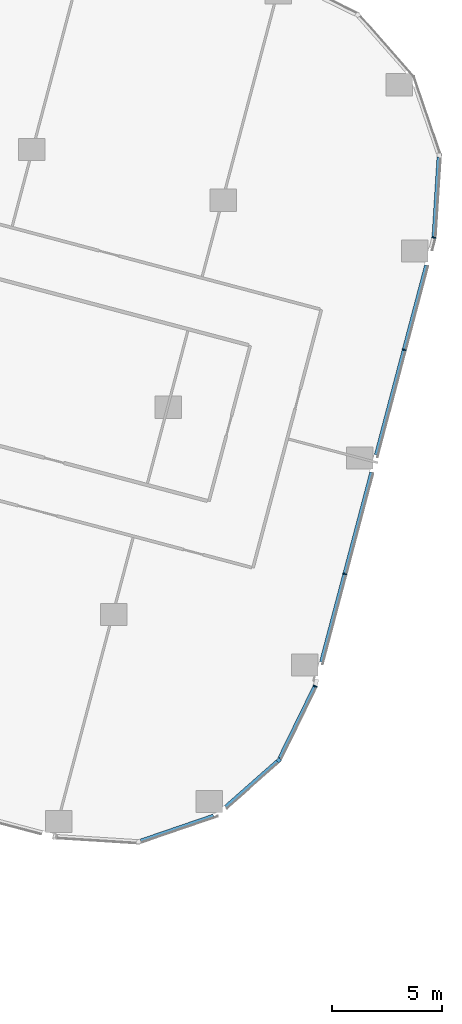
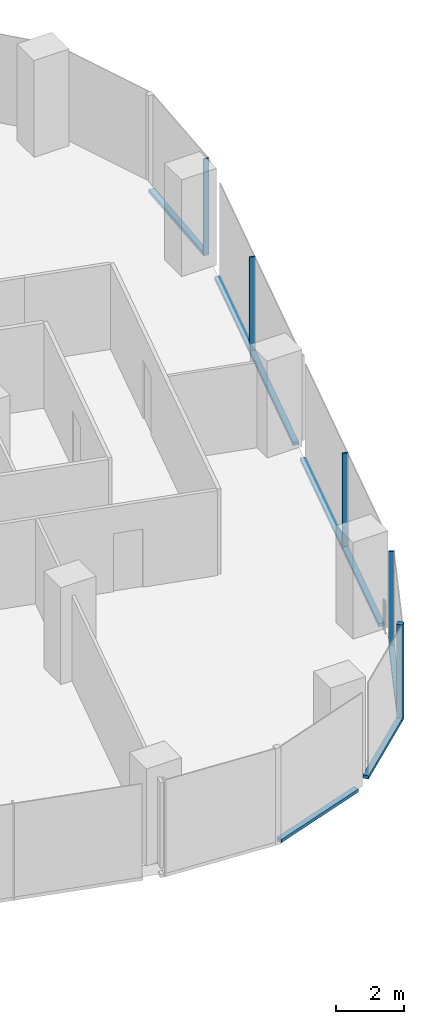
# One storey, part 10 of 34: 11 members, 5 elements without a shape of their own.
"""IFC4 building model written with IfcOpenShell, lengths in metres."""

from ifc_helpers import new_model, si_unit, direction, frame, origin, origin_2d, place, context, subcontext, project, spatial, rectangle, extrude, material, material_profile, profile_set, type_object, element, aggregate, save


model = new_model("IFC4")

# Units and contexts
model_context = context("Model", 3, precision=1e-05, world=origin(), true_north=direction((0.0, 1.0)))
body_context = subcontext(model_context, "Body", "Model", "MODEL_VIEW")
ifc_project = project(units=[si_unit("LENGTHUNIT", "METRE"), si_unit("AREAUNIT", "SQUARE_METRE"), si_unit("VOLUMEUNIT", "CUBIC_METRE"), si_unit("PLANEANGLEUNIT", "RADIAN"), si_unit("MASSUNIT", "GRAM", prefix="KILO")], contexts=[model_context])

# Site, building, storey
site_placement = place(None, origin())
site = spatial("IfcSite", under=ifc_project, at=site_placement, CompositionType="ELEMENT")
building_placement = place(site_placement, origin())
building = spatial("IfcBuilding", under=site, at=building_placement, Name="Orlundy Tower", CompositionType="ELEMENT")
storey_placement = place(building_placement, frame((0.0, 0.0, 112.699951171875)))
storey = spatial("IfcBuildingStorey", under=building, at=storey_placement, Name="L28", CompositionType="ELEMENT", Elevation=112.699951171875)

# Curtain wall, member
ifc_material_1 = material(Name="Aluminium bronze anodised", Category="aluminium")
curtain_wall_type = type_object("IfcCurtainWallType", Name="CW1 wall", PredefinedType="NOTDEFINED", material=ifc_material_1)
curtain_wall_1_placement = place(storey_placement, origin())
curtain_wall_1 = element("IfcCurtainWall", 1, at=curtain_wall_1_placement, inside=storey, type_object=curtain_wall_type, Name="CW1 run 025", PredefinedType="NOTDEFINED")
ifc_material_2 = material(Name="Aluminium bronze anodised", Category="aluminium")
ifc_material_profile_1 = material_profile(ifc_material_2, rectangle(XDim=0.179931640625, YDim=0.179931640625, at=origin_2d()), Name="CW1 corner post 180x180")
ifc_profile_set_1 = profile_set([ifc_material_profile_1], Name="Aluminium bronze anodised")
member_type_1 = type_object("IfcMemberType", Name="CW1 corner post 180x180", PredefinedType="MULLION", material=ifc_profile_set_1)
member_1_placement = place(storey_placement, frame((54.239013671875, -29.023681640625, -0.39990234375), z_axis=(0.0, 0.0, 1.0), x_axis=(0.661478866824, -0.749963804957, 0.0)))
member_1 = element("IfcMember", 2, at=member_1_placement, type_object=member_type_1, Name="CW1 mullion 66", PredefinedType="MULLION", context=body_context, shape_type="SweptSolid", body=[
    extrude(rectangle(XDim=0.179931640625, YDim=0.179931640625, at=origin_2d()), origin(), (0.0, 0.0, 1.0), 3.5),
])

# Curtain wall, members
curtain_wall_2_placement = place(storey_placement, origin())
curtain_wall_2 = element("IfcCurtainWall", 3, at=curtain_wall_2_placement, inside=storey, type_object=curtain_wall_type, Name="CW1 run 023", PredefinedType="NOTDEFINED")
ifc_material_3 = material(Name="Aluminium bronze anodised", Category="aluminium")
ifc_material_profile_2 = material_profile(ifc_material_3, rectangle(XDim=0.179931640625, YDim=0.050048828125, at=origin_2d()), Name="CW1 mullion 50x180")
ifc_profile_set_2 = profile_set([ifc_material_profile_2], Name="Aluminium bronze anodised")
member_type_2 = type_object("IfcMemberType", Name="CW1 mullion 50x180", PredefinedType="MULLION", material=ifc_profile_set_2)
member_2_placement = place(storey_placement, frame((61.26123046875, -5.3525390625, -0.39990234375), z_axis=(0.0, 0.0, 1.0), x_axis=(0.987106713631, -0.160063537088, 0.0)))
member_2 = element("IfcMember", 4, at=member_2_placement, type_object=member_type_2, Name="CW1 mullion 61", PredefinedType="MULLION", context=body_context, shape_type="SweptSolid", body=[
    extrude(rectangle(XDim=0.179931640625, YDim=0.050048828125, at=origin_2d()), origin(), (0.0, 0.0, 1.0), 3.5),
])
member_3_placement = place(storey_placement, frame((59.9150390625, -10.436279296875, -0.39990234375), z_axis=(0.0, 0.0, 1.0), x_axis=(0.966679239296, -0.255990719194, 0.0)))
member_3 = element("IfcMember", 5, at=member_3_placement, type_object=member_type_2, Name="CW1 mullion 62", PredefinedType="MULLION", context=body_context, shape_type="SweptSolid", body=[
    extrude(rectangle(XDim=0.179931640625, YDim=0.050048828125, at=origin_2d()), origin(), (0.0, 0.0, 1.0), 3.5),
])
member_4_placement = place(storey_placement, frame((57.22705078125, -20.586669921875, -0.39990234375), z_axis=(0.0, 0.0, 1.0), x_axis=(0.966679239296, -0.255990719194, 0.0)))
member_4 = element("IfcMember", 6, at=member_4_placement, type_object=member_type_2, Name="CW1 mullion 64", PredefinedType="MULLION", context=body_context, shape_type="SweptSolid", body=[
    extrude(rectangle(XDim=0.179931640625, YDim=0.050048828125, at=origin_2d()), origin(), (0.0, 0.0, 1.0), 3.5),
])

# Curtain wall, member
curtain_wall_3_placement = place(storey_placement, origin())
curtain_wall_3 = element("IfcCurtainWall", 7, at=curtain_wall_3_placement, inside=storey, type_object=curtain_wall_type, Name="CW1 run 024", PredefinedType="NOTDEFINED")
member_5_placement = place(storey_placement, frame((55.880615234375, -25.670654296875, -0.39990234375), z_axis=(0.0, 0.0, 1.0), x_axis=(0.936915365635, -0.349556286795, 0.0)))
member_5 = element("IfcMember", 8, at=member_5_placement, type_object=member_type_2, Name="CW1 mullion 65", PredefinedType="MULLION", context=body_context, shape_type="SweptSolid", body=[
    extrude(rectangle(XDim=0.179931640625, YDim=0.050048828125, at=origin_2d()), origin(), (0.0, 0.0, 1.0), 3.5),
])

curtain_wall_4_placement = place(storey_placement, origin())
curtain_wall_4 = element("IfcCurtainWall", 9, at=curtain_wall_4_placement, inside=storey, type_object=curtain_wall_type, Name="CW1 run 022", PredefinedType="NOTDEFINED")
ifc_material_4 = material(Name="Aluminium bronze anodised", Category="aluminium")
ifc_material_profile_3 = material_profile(ifc_material_4, rectangle(XDim=0.179931640625, YDim=0.1201171875, at=origin_2d()), Name="CW1 transom 180x120")
ifc_profile_set_3 = profile_set([ifc_material_profile_3], Name="Aluminium bronze anodised")
member_type_3 = type_object("IfcMemberType", Name="CW1 transom 180x120", PredefinedType="USERDEFINED", material=ifc_profile_set_3)
member_6_placement = place(storey_placement, frame((61.4892578125, -1.716552734375, -0.33984375), z_axis=(-0.06255473312, -0.998041534889, 0.0), x_axis=(0.998041534889, -0.06255473312, 0.0)))
member_6 = element("IfcMember", 10, at=member_6_placement, type_object=member_type_3, Name="CW1 transom", ObjectType="TRANSOM", PredefinedType="USERDEFINED", context=body_context, shape_type="SweptSolid", body=[
    extrude(rectangle(XDim=0.179931640625, YDim=0.1201171875, at=origin_2d()), origin(), (0.0, 0.0, 1.0), 3.617919921875),
])
aggregate(curtain_wall_4, [member_6])

# Member
member_7_placement = place(storey_placement, frame((60.9287109375, -6.60791015625, -0.33984375), z_axis=(-0.255977891732, -0.966682636104, 0.0), x_axis=(0.966682636104, -0.255977891732, 0.0)))
member_7 = element("IfcMember", 11, at=member_7_placement, type_object=member_type_3, Name="CW1 transom", ObjectType="TRANSOM", PredefinedType="USERDEFINED", context=body_context, shape_type="SweptSolid", body=[
    extrude(rectangle(XDim=0.179931640625, YDim=0.1201171875, at=origin_2d()), origin(), (0.0, 0.0, 1.0), 8.88623046875),
])

member_8_placement = place(storey_placement, frame((58.445556640625, -15.985107421875, -0.33984375), z_axis=(-0.255998288783, -0.966677234727, 0.0), x_axis=(0.966677234727, -0.255998288783, 0.0)))
member_8 = element("IfcMember", 12, at=member_8_placement, type_object=member_type_3, Name="CW1 transom", ObjectType="TRANSOM", PredefinedType="USERDEFINED", context=body_context, shape_type="SweptSolid", body=[
    extrude(rectangle(XDim=0.179931640625, YDim=0.1201171875, at=origin_2d()), origin(), (0.0, 0.0, 1.0), 8.885498046875),
])

aggregate(curtain_wall_2, [member_2, member_3, member_4, member_7, member_8])

member_9_placement = place(storey_placement, frame((55.86962890625, -25.693115234375, -0.33984375), z_axis=(-0.439733905011, -0.898128104885, 0.0), x_axis=(0.898128104885, -0.439733905011, 0.0)))
member_9 = element("IfcMember", 13, at=member_9_placement, type_object=member_type_3, Name="CW1 transom", ObjectType="TRANSOM", PredefinedType="USERDEFINED", context=body_context, shape_type="SweptSolid", body=[
    extrude(rectangle(XDim=0.179931640625, YDim=0.1201171875, at=origin_2d()), origin(), (0.0, 0.0, 1.0), 3.611083984375),
])

aggregate(curtain_wall_3, [member_5, member_9])

member_10_placement = place(storey_placement, frame((54.17138671875, -29.083251953125, -0.33984375), z_axis=(-0.749959050318, -0.661484257444, 0.0), x_axis=(0.661484257444, -0.749959050318, 0.0)))
member_10 = element("IfcMember", 14, at=member_10_placement, type_object=member_type_3, Name="CW1 transom", ObjectType="TRANSOM", PredefinedType="USERDEFINED", context=body_context, shape_type="SweptSolid", body=[
    extrude(rectangle(XDim=0.179931640625, YDim=0.1201171875, at=origin_2d()), origin(), (0.0, 0.0, 1.0), 3.115478515625),
])

aggregate(curtain_wall_1, [member_1, member_10])

# Curtain wall, member
curtain_wall_5_placement = place(storey_placement, origin())
curtain_wall_5 = element("IfcCurtainWall", 15, at=curtain_wall_5_placement, inside=storey, type_object=curtain_wall_type, Name="CW1 run 026", PredefinedType="NOTDEFINED")
member_11_placement = place(storey_placement, frame((51.281494140625, -31.551025390625, -0.33984375), z_axis=(-0.94595208555, -0.324306416594, 0.0), x_axis=(0.324306416594, -0.94595208555, 0.0)))
member_11 = element("IfcMember", 16, at=member_11_placement, type_object=member_type_3, Name="CW1 transom", ObjectType="TRANSOM", PredefinedType="USERDEFINED", context=body_context, shape_type="SweptSolid", body=[
    extrude(rectangle(XDim=0.179931640625, YDim=0.1201171875, at=origin_2d()), origin(), (0.0, 0.0, 1.0), 3.485595703125),
])
aggregate(curtain_wall_5, [member_11])

save(model, "model.ifc")
